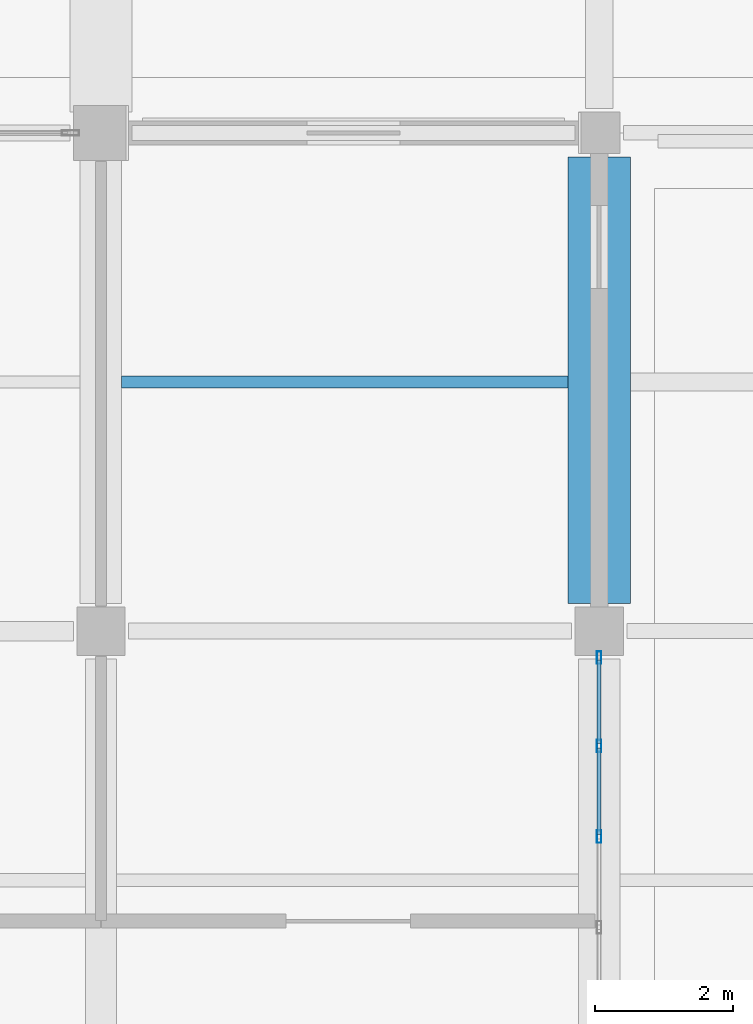
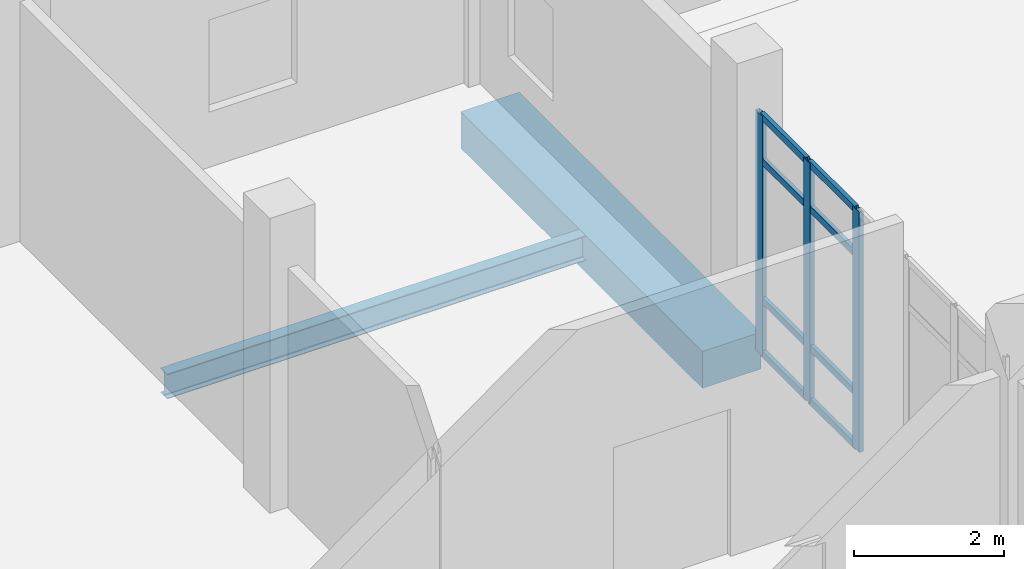
# One storey, part 114 of 186: 11 members, 2 beams, 1 element without a shape of its own.
"""IFC4 building model written with IfcOpenShell, lengths in metres."""

from ifc_helpers import new_model, si_unit, direction, frame, origin, origin_2d, place, context, subcontext, project, spatial, rectangle, hollow_rectangle, i_section, extrude, material, layer, layer_set, material_profile, profile_set, type_object, element, aggregate, save


model = new_model("IFC4")

# Units and contexts
model_context = context("Model", 3, precision=1e-05, world=origin(), true_north=direction((0.0, 1.0)))
body_context = subcontext(model_context, "Body", "Model", "MODEL_VIEW")
ifc_project = project(units=[si_unit("LENGTHUNIT", "METRE"), si_unit("AREAUNIT", "SQUARE_METRE"), si_unit("VOLUMEUNIT", "CUBIC_METRE"), si_unit("PLANEANGLEUNIT", "RADIAN"), si_unit("MASSUNIT", "GRAM", prefix="KILO")], contexts=[model_context])

# Site, building, storey
site_placement = place(None, origin())
site = spatial("IfcSite", under=ifc_project, at=site_placement, CompositionType="ELEMENT")
building_placement = place(site_placement, origin())
building = spatial("IfcBuilding", under=site, at=building_placement, Name="Calvrana Isthmian Art Gallery", CompositionType="ELEMENT")
storey_placement = place(building_placement, frame((0.0, 0.0, 5.39990234375)))
storey = spatial("IfcBuildingStorey", under=building, at=storey_placement, Name="L01", CompositionType="ELEMENT", Elevation=5.39990234375)

# Beams
ifc_material_1 = material(Name="Steel ASTM A992 Gr 50", Category="steel")
ifc_material_profile_1 = material_profile(ifc_material_1, i_section(OverallWidth=0.177978515625, OverallDepth=0.404052734375, WebThickness=0.007568359375, FlangeThickness=0.010986328125, FilletRadius=0.01806640625, at=origin_2d()), Name="W16X36")
ifc_profile_set_1 = profile_set([ifc_material_profile_1], Name="Steel ASTM A992 Gr 50")
beam_type_1 = type_object("IfcBeamType", Name="BM-J-W16X36", PredefinedType="JOIST", material=ifc_profile_set_1)
beam_1_placement = place(storey_placement, frame((141.89990234375, 94.800048828125, -0.5068359375), z_axis=(1.0, 0.0, 0.0), x_axis=(0.0, 1.0, 0.0)))
element("IfcBeam", 1, at=beam_1_placement, inside=storey, type_object=beam_type_1, Name="Composite joist L01 bay 18-12", PredefinedType="JOIST", context=body_context, shape_type="SweptSolid", body=[
    extrude(i_section(OverallWidth=0.177978515625, OverallDepth=0.404052734375, WebThickness=0.007568359375, FlangeThickness=0.010986328125, FilletRadius=0.01806640625, at=origin_2d()), origin(), (0.0, 0.0, 1.0), 6.4501953125),
])
ifc_material_2 = material(Name="Concrete C40/50", Category="concrete")
ifc_material_profile_2 = material_profile(ifc_material_2, rectangle(XDim=0.89990234375, YDim=0.60009765625, at=origin_2d()), Name="RC900X600")
ifc_profile_set_2 = profile_set([ifc_material_profile_2], Name="Concrete C40/50")
beam_type_2 = type_object("IfcBeamType", Name="BM-RC-900X600", PredefinedType="BEAM", material=ifc_profile_set_2)
beam_2_placement = place(storey_placement, frame((148.800048828125, 91.60009765625, -0.60498046875), z_axis=(0.0, 1.0, 0.0), x_axis=(-1.0, 0.0, 0.0)))
element("IfcBeam", 2, at=beam_2_placement, inside=storey, type_object=beam_type_2, Name="Girder Y L01 20/M-N", PredefinedType="BEAM", context=body_context, shape_type="SweptSolid", body=[
    extrude(rectangle(XDim=0.89990234375, YDim=0.60009765625, at=origin_2d()), origin(), (0.0, 0.0, 1.0), 6.449951171875),
])

# Curtain wall, members
ifc_material_3 = material(Name="Anodized bronze aluminium 6063-T6", Category="aluminium")
ifc_layer = layer(ifc_material_3, 0.179931640625, Name="Anodized bronze aluminium 6063-T6")
ifc_layer_set = layer_set([ifc_layer], Name="Anodized bronze aluminium 6063-T6")
curtain_wall_type = type_object("IfcCurtainWallType", Name="CW-UNIT-065X39", PredefinedType="USERDEFINED", material=ifc_layer_set)
curtain_wall_placement = place(storey_placement, origin())
curtain_wall = element("IfcCurtainWall", 3, at=curtain_wall_placement, inside=storey, type_object=curtain_wall_type, Name="Curtain wall CW-140", ObjectType="UNITISED CURTAIN WALL", PredefinedType="USERDEFINED")
ifc_material_profile_3 = material_profile(ifc_material_3, hollow_rectangle(XDim=0.06494140625, YDim=0.179931640625, WallThickness=0.00439453125, at=origin_2d()), Name="CWM65X180")
ifc_profile_set_3 = profile_set([ifc_material_profile_3], Name="Anodized bronze aluminium 6063-T6")
member_type_1 = type_object("IfcMemberType", Name="CWM-CWM65X180", PredefinedType="MULLION", material=ifc_profile_set_3)
member_1_placement = place(storey_placement, frame((148.800048828125, 90.8173828125, 0.0), z_axis=(0.0, 0.0, 1.0), x_axis=(1.0, 0.0, 0.0)))
member_1 = element("IfcMember", 4, at=member_1_placement, type_object=member_type_1, Name="CW-140 mullion 1", PredefinedType="MULLION", context=body_context, shape_type="SweptSolid", body=[
    extrude(hollow_rectangle(XDim=0.06494140625, YDim=0.179931640625, WallThickness=0.00439453125, at=origin_2d()), origin(), (0.0, 0.0, 1.0), 3.9130859375),
])
member_2_placement = place(storey_placement, frame((148.800048828125, 89.5400390625, 0.0), z_axis=(0.0, 0.0, 1.0), x_axis=(1.0, 0.0, 0.0)))
member_2 = element("IfcMember", 5, at=member_2_placement, type_object=member_type_1, Name="CW-140 mullion 2", PredefinedType="MULLION", context=body_context, shape_type="SweptSolid", body=[
    extrude(hollow_rectangle(XDim=0.06494140625, YDim=0.179931640625, WallThickness=0.00439453125, at=origin_2d()), origin(), (0.0, 0.0, 1.0), 3.9130859375),
])
member_3_placement = place(storey_placement, frame((148.800048828125, 88.22998046875, 0.0), z_axis=(0.0, 0.0, 1.0), x_axis=(1.0, 0.0, 0.0)))
member_3 = element("IfcMember", 6, at=member_3_placement, type_object=member_type_1, Name="CW-140 mullion 3", PredefinedType="MULLION", context=body_context, shape_type="SweptSolid", body=[
    extrude(hollow_rectangle(XDim=0.06494140625, YDim=0.179931640625, WallThickness=0.00439453125, at=origin_2d()), origin(), (0.0, 0.0, 1.0), 3.9130859375),
])
ifc_material_profile_4 = material_profile(ifc_material_3, hollow_rectangle(XDim=0.06005859375, YDim=0.110107421875, WallThickness=0.00341796875, at=origin_2d()), Name="CWT60X110")
ifc_profile_set_4 = profile_set([ifc_material_profile_4], Name="Anodized bronze aluminium 6063-T6")
member_type_2 = type_object("IfcMemberType", Name="CWT-CWT60X110", PredefinedType="USERDEFINED", material=ifc_profile_set_4)
member_4_placement = place(storey_placement, frame((148.800048828125, 90.784912109375, 0.030029296875), z_axis=(0.0, -1.0, 0.0), x_axis=(1.0, 0.0, 0.0)))
member_4 = element("IfcMember", 7, at=member_4_placement, type_object=member_type_2, Name="CW-140 transom 1.1", ObjectType="TRANSOM", PredefinedType="USERDEFINED", context=body_context, shape_type="SweptSolid", body=[
    extrude(hollow_rectangle(XDim=0.06005859375, YDim=0.110107421875, WallThickness=0.00341796875, at=origin_2d()), origin(), (0.0, 0.0, 1.0), 1.21240234375),
])
member_5_placement = place(storey_placement, frame((148.800048828125, 90.784912109375, 0.900146484375), z_axis=(0.0, -1.0, 0.0), x_axis=(1.0, 0.0, 0.0)))
member_5 = element("IfcMember", 8, at=member_5_placement, type_object=member_type_2, Name="CW-140 transom 1.2", ObjectType="TRANSOM", PredefinedType="USERDEFINED", context=body_context, shape_type="SweptSolid", body=[
    extrude(hollow_rectangle(XDim=0.06005859375, YDim=0.110107421875, WallThickness=0.00341796875, at=origin_2d()), origin(), (0.0, 0.0, 1.0), 1.21240234375),
])
member_6_placement = place(storey_placement, frame((148.800048828125, 90.784912109375, 3.1630859375), z_axis=(0.0, -1.0, 0.0), x_axis=(1.0, 0.0, 0.0)))
member_6 = element("IfcMember", 9, at=member_6_placement, type_object=member_type_2, Name="CW-140 transom 1.3", ObjectType="TRANSOM", PredefinedType="USERDEFINED", context=body_context, shape_type="SweptSolid", body=[
    extrude(hollow_rectangle(XDim=0.06005859375, YDim=0.110107421875, WallThickness=0.00341796875, at=origin_2d()), origin(), (0.0, 0.0, 1.0), 1.21240234375),
])
member_7_placement = place(storey_placement, frame((148.800048828125, 90.784912109375, 3.883056640625), z_axis=(0.0, -1.0, 0.0), x_axis=(1.0, 0.0, 0.0)))
member_7 = element("IfcMember", 10, at=member_7_placement, type_object=member_type_2, Name="CW-140 transom 1.4", ObjectType="TRANSOM", PredefinedType="USERDEFINED", context=body_context, shape_type="SweptSolid", body=[
    extrude(hollow_rectangle(XDim=0.06005859375, YDim=0.110107421875, WallThickness=0.00341796875, at=origin_2d()), origin(), (0.0, 0.0, 1.0), 1.21240234375),
])
member_8_placement = place(storey_placement, frame((148.800048828125, 89.507568359375, 0.030029296875), z_axis=(0.0, -1.0, 0.0), x_axis=(1.0, 0.0, 0.0)))
member_8 = element("IfcMember", 11, at=member_8_placement, type_object=member_type_2, Name="CW-140 transom 2.1", ObjectType="TRANSOM", PredefinedType="USERDEFINED", context=body_context, shape_type="SweptSolid", body=[
    extrude(hollow_rectangle(XDim=0.06005859375, YDim=0.110107421875, WallThickness=0.00341796875, at=origin_2d()), origin(), (0.0, 0.0, 1.0), 1.2451171875),
])
member_9_placement = place(storey_placement, frame((148.800048828125, 89.507568359375, 0.900146484375), z_axis=(0.0, -1.0, 0.0), x_axis=(1.0, 0.0, 0.0)))
member_9 = element("IfcMember", 12, at=member_9_placement, type_object=member_type_2, Name="CW-140 transom 2.2", ObjectType="TRANSOM", PredefinedType="USERDEFINED", context=body_context, shape_type="SweptSolid", body=[
    extrude(hollow_rectangle(XDim=0.06005859375, YDim=0.110107421875, WallThickness=0.00341796875, at=origin_2d()), origin(), (0.0, 0.0, 1.0), 1.2451171875),
])
member_10_placement = place(storey_placement, frame((148.800048828125, 89.507568359375, 3.1630859375), z_axis=(0.0, -1.0, 0.0), x_axis=(1.0, 0.0, 0.0)))
member_10 = element("IfcMember", 13, at=member_10_placement, type_object=member_type_2, Name="CW-140 transom 2.3", ObjectType="TRANSOM", PredefinedType="USERDEFINED", context=body_context, shape_type="SweptSolid", body=[
    extrude(hollow_rectangle(XDim=0.06005859375, YDim=0.110107421875, WallThickness=0.00341796875, at=origin_2d()), origin(), (0.0, 0.0, 1.0), 1.2451171875),
])
member_11_placement = place(storey_placement, frame((148.800048828125, 89.507568359375, 3.883056640625), z_axis=(0.0, -1.0, 0.0), x_axis=(1.0, 0.0, 0.0)))
member_11 = element("IfcMember", 14, at=member_11_placement, type_object=member_type_2, Name="CW-140 transom 2.4", ObjectType="TRANSOM", PredefinedType="USERDEFINED", context=body_context, shape_type="SweptSolid", body=[
    extrude(hollow_rectangle(XDim=0.06005859375, YDim=0.110107421875, WallThickness=0.00341796875, at=origin_2d()), origin(), (0.0, 0.0, 1.0), 1.2451171875),
])
aggregate(curtain_wall, [member_1, member_2, member_3, member_4, member_5, member_6, member_7, member_8, member_9, member_10, member_11])

save(model, "model.ifc")
